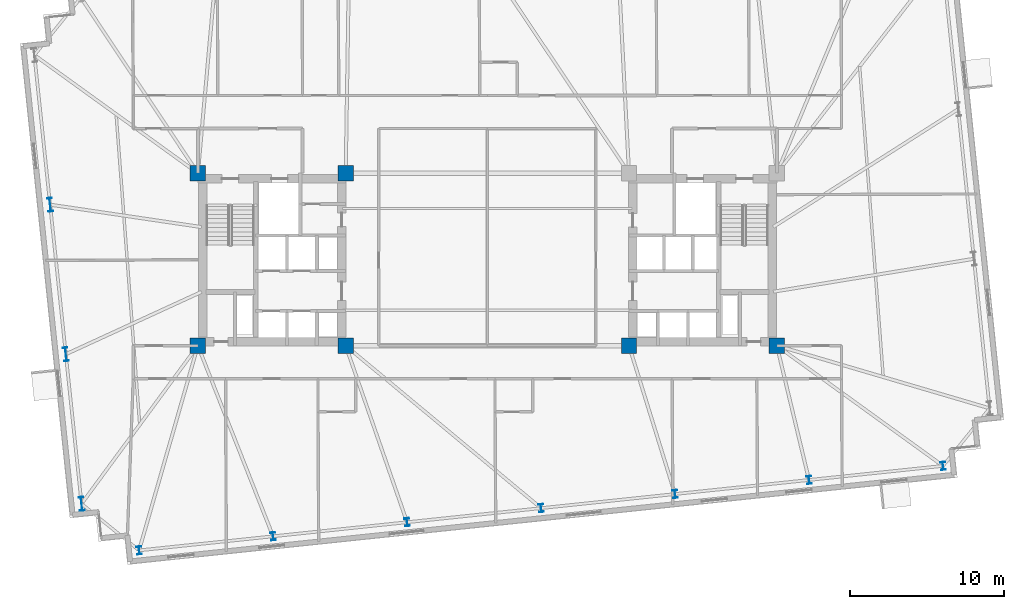
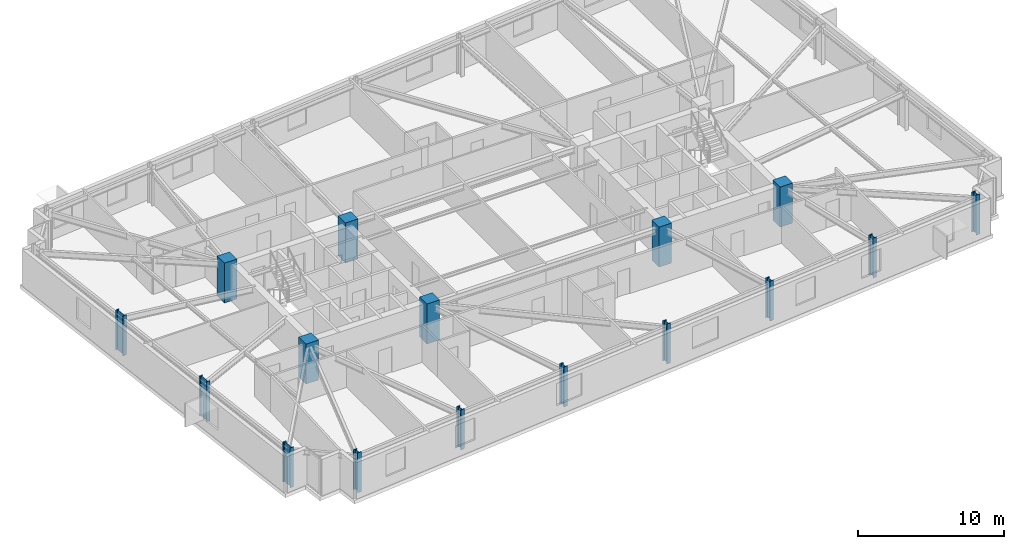
# One storey, part 1 of 17: 16 columns.
"""IFC4 building model written with IfcOpenShell, lengths in metres."""

from ifc_helpers import new_model, si_unit, direction, frame, origin, origin_2d, place, context, subcontext, project, spatial, rectangle, i_section, extrude, material, material_profile, profile_set, type_object, element, save


model = new_model("IFC4")

# Units and contexts
model_context = context("Model", 3, precision=1e-05, world=origin(), true_north=direction((0.0, 1.0)))
body_context = subcontext(model_context, "Body", "Model", "MODEL_VIEW")
ifc_project = project(units=[si_unit("LENGTHUNIT", "METRE"), si_unit("AREAUNIT", "SQUARE_METRE"), si_unit("VOLUMEUNIT", "CUBIC_METRE"), si_unit("PLANEANGLEUNIT", "RADIAN"), si_unit("MASSUNIT", "GRAM", prefix="KILO")], contexts=[model_context])

# Site, building, storey
site_placement = place(None, origin())
site = spatial("IfcSite", under=ifc_project, at=site_placement, CompositionType="ELEMENT")
building_placement = place(site_placement, origin())
building = spatial("IfcBuilding", under=site, at=building_placement, Name="Qobustan Lattice House", CompositionType="ELEMENT")
storey_placement = place(building_placement, frame((0.0, 0.0, 105.800048828125)))
storey = spatial("IfcBuildingStorey", under=building, at=storey_placement, Name="L29", CompositionType="ELEMENT", Elevation=105.800048828125)

# Columns
ifc_material_1 = material(Name="Concrete C60/75", Category="concrete")
ifc_material_profile_1 = material_profile(ifc_material_1, rectangle(XDim=1.0, YDim=1.0, at=origin_2d()), Name="RC1000x1000")
ifc_profile_set_1 = profile_set([ifc_material_profile_1], Name="Concrete C60/75")
column_type_1 = type_object("IfcColumnType", Name="COL-RC-1000", PredefinedType="COLUMN", material=ifc_profile_set_1)
for number, where, z_axis, x_axis, name in (
    (1, (-18.800048828125, -5.60009765625, 0.0), (0.0, 0.0, 1.0), (1.0, 0.0, 0.0), "L29 core mega-column CW-SW"),
    (2, (-18.800048828125, 5.60009765625, 0.0), (0.0, 0.0, 1.0), (1.0, 0.0, 0.0), "L29 core mega-column CW-NW"),
    (3, (-9.199951171875, -5.60009765625, 0.0), (0.0, 0.0, 1.0), (1.0, 0.0, 0.0), "L29 core mega-column CW-SE"),
    (4, (-9.199951171875, 5.60009765625, 0.0), (0.0, 0.0, 1.0), (1.0, 0.0, 0.0), "L29 core mega-column CW-NE"),
    (5, (9.199951171875, -5.60009765625, 0.0), (0.0, 0.0, 1.0), (1.0, 0.0, 0.0), "L29 core mega-column CE-SW"),
    (6, (18.800048828125, -5.60009765625, 0.0), (0.0, 0.0, 1.0), (1.0, 0.0, 0.0), "L29 core mega-column CE-SE"),
):
    element("IfcColumn", number, at=place(storey_placement, frame(where, z_axis=z_axis, x_axis=x_axis)), inside=storey, type_object=column_type_1, Name=name, PredefinedType="COLUMN", context=body_context, shape_type="SweptSolid", body=[
        extrude(rectangle(XDim=1.0, YDim=1.0, at=origin_2d()), origin(), (0.0, 0.0, 1.0), 3.349853515625),
    ])
ifc_material_2 = material(Name="Steel S355", Category="steel")
ifc_material_profile_2 = material_profile(ifc_material_2, i_section(OverallWidth=0.300048828125, OverallDepth=0.89990234375, WebThickness=0.0185546875, FlangeThickness=0.034912109375, FilletRadius=0.030029296875, at=origin_2d()), Name="HEB900")
ifc_profile_set_2 = profile_set([ifc_material_profile_2], Name="Steel S355")
column_type_2 = type_object("IfcColumnType", Name="COL-ST-HEB900", PredefinedType="COLUMN", material=ifc_profile_set_2)
for number, where, z_axis, x_axis, name in (
    (7, (-28.39794921875, 3.557373046875, 0.0), (0.0, 0.0, 1.0), (0.994521895368, 0.104528463268, 0.0), "L29 B2 perimeter column W2"),
    (8, (-27.377197265625, -6.156005859375, 0.0), (0.0, 0.0, 1.0), (0.994521895368, 0.104528463268, 0.0), "L29 B2 perimeter column W3"),
    (9, (-26.356201171875, -15.868896484375, 0.0), (0.0, 0.0, 1.0), (0.994521895368, 0.104528463268, 0.0), "L29 B2 perimeter column W4"),
):
    element("IfcColumn", number, at=place(storey_placement, frame(where, z_axis=z_axis, x_axis=x_axis)), inside=storey, type_object=column_type_2, Name=name, PredefinedType="COLUMN", context=body_context, shape_type="SweptSolid", body=[
        extrude(i_section(OverallWidth=0.300048828125, OverallDepth=0.89990234375, WebThickness=0.0185546875, FlangeThickness=0.034912109375, FilletRadius=0.030029296875, at=origin_2d()), origin(), (0.0, 0.0, 1.0), 3.349853515625),
    ])
ifc_material_3 = material(Name="Steel S355", Category="steel")
ifc_material_profile_3 = material_profile(ifc_material_3, i_section(OverallWidth=0.305908203125, OverallDepth=0.52392578125, WebThickness=0.02099609375, FlangeThickness=0.0400390625, FilletRadius=0.027099609375, at=origin_2d()), Name="HEM500")
ifc_profile_set_3 = profile_set([ifc_material_profile_3], Name="Steel S355")
column_type_3 = type_object("IfcColumnType", Name="COL-ST-HEM500", PredefinedType="COLUMN", material=ifc_profile_set_3)
for number, where, z_axis, x_axis, name in (
    (10, (-22.619384765625, -18.89501953125, 0.0), (0.0, 0.0, 1.0), (0.994521895368, 0.104528463268, 0.0), "L29 B2 perimeter column S1"),
    (11, (-13.91748046875, -17.98046875, 0.0), (0.0, 0.0, 1.0), (0.994521895368, 0.104528463268, 0.0), "L29 B2 perimeter column S2"),
    (12, (-5.21533203125, -17.065673828125, 0.0), (0.0, 0.0, 1.0), (0.994521895368, 0.104528463268, 0.0), "L29 B2 perimeter column S3"),
    (13, (3.48681640625, -16.151123046875, 0.0), (0.0, 0.0, 1.0), (0.994521895368, 0.104528463268, 0.0), "L29 B2 perimeter column S4"),
    (14, (12.188720703125, -15.236572265625, 0.0), (0.0, 0.0, 1.0), (0.994521895368, 0.104528463268, 0.0), "L29 B2 perimeter column S5"),
    (15, (20.890869140625, -14.322021484375, 0.0), (0.0, 0.0, 1.0), (0.994521895368, 0.104528463268, 0.0), "L29 B2 perimeter column S6"),
    (16, (29.593017578125, -13.4072265625, 0.0), (0.0, 0.0, 1.0), (0.994521895368, 0.104528463268, 0.0), "L29 B2 perimeter column S7"),
):
    element("IfcColumn", number, at=place(storey_placement, frame(where, z_axis=z_axis, x_axis=x_axis)), inside=storey, type_object=column_type_3, Name=name, PredefinedType="COLUMN", context=body_context, shape_type="SweptSolid", body=[
        extrude(i_section(OverallWidth=0.305908203125, OverallDepth=0.52392578125, WebThickness=0.02099609375, FlangeThickness=0.0400390625, FilletRadius=0.027099609375, at=origin_2d()), origin(), (0.0, 0.0, 1.0), 3.349853515625),
    ])

save(model, "model.ifc")
